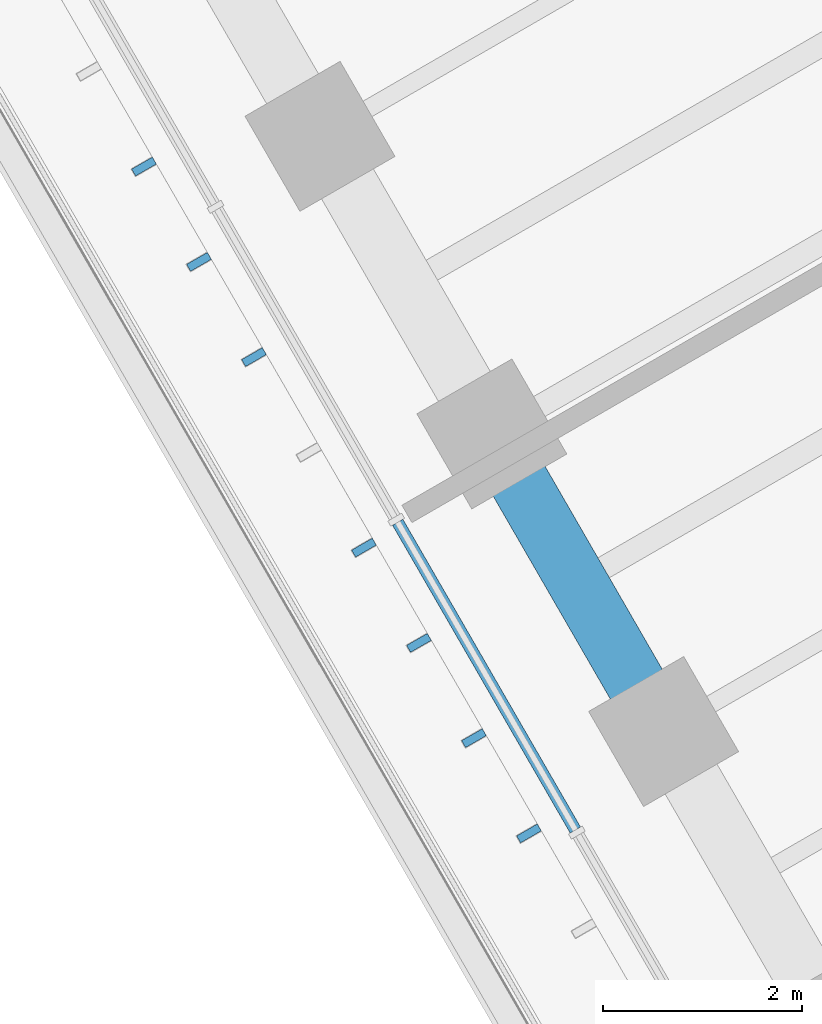
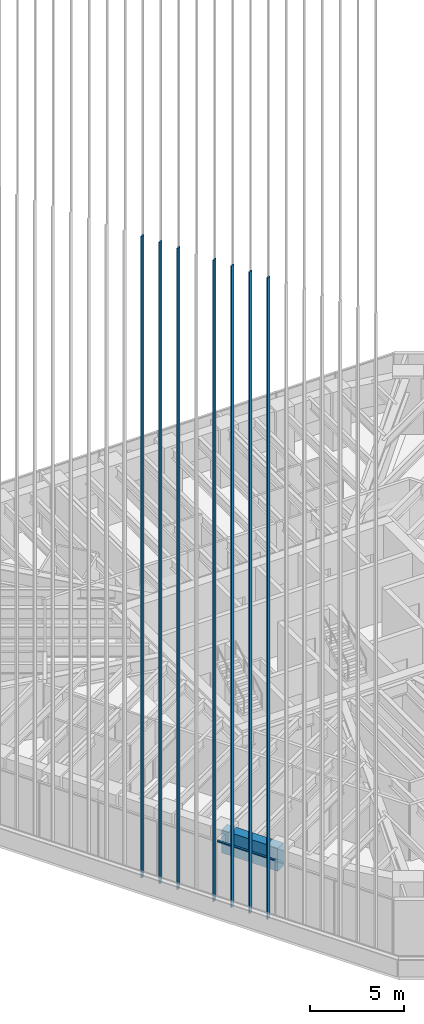
# One storey, part 4 of 127: 8 members, 1 beam, 1 element without a shape of its own.
"""IFC4 building model written with IfcOpenShell, lengths in metres."""

from ifc_helpers import new_model, si_unit, direction, frame, origin, origin_2d, place, context, subcontext, project, spatial, rectangle, extrude, material, material_profile, profile_set, type_object, element, aggregate, save


model = new_model("IFC4")

# Units and contexts
model_context = context("Model", 3, precision=1e-05, world=origin(), true_north=direction((0.0, 1.0)))
body_context = subcontext(model_context, "Body", "Model", "MODEL_VIEW")
ifc_project = project(units=[si_unit("LENGTHUNIT", "METRE"), si_unit("AREAUNIT", "SQUARE_METRE"), si_unit("VOLUMEUNIT", "CUBIC_METRE"), si_unit("PLANEANGLEUNIT", "RADIAN"), si_unit("MASSUNIT", "GRAM", prefix="KILO")], contexts=[model_context])

# Site, building, storey
site_placement = place(None, origin())
site = spatial("IfcSite", under=ifc_project, at=site_placement, CompositionType="ELEMENT")
building_placement = place(site_placement, origin())
building = spatial("IfcBuilding", under=site, at=building_placement, Name="Sandreach Pilgrim Tower", CompositionType="ELEMENT")
storey_placement = place(building_placement, frame((0.0, 0.0, 257.0)))
storey = spatial("IfcBuildingStorey", under=building, at=storey_placement, Name="L64", CompositionType="ELEMENT", Elevation=257.0)

# Curtain wall, member
ifc_material_1 = material(Name="Aluminium framed curtain wall", Category="aluminium")
curtain_wall_type = type_object("IfcCurtainWallType", Name="Suite tower curtain wall", PredefinedType="NOTDEFINED", material=ifc_material_1)
curtain_wall_placement = place(storey_placement, origin())
curtain_wall = element("IfcCurtainWall", 1, at=curtain_wall_placement, inside=storey, type_object=curtain_wall_type, Name="CW-4 L64 SW", PredefinedType="NOTDEFINED")
ifc_material_2 = material(Name="Aluminium extrusion", Category="aluminium")
ifc_material_profile_1 = material_profile(ifc_material_2, rectangle(XDim=0.1201171875, YDim=0.070068359375, at=origin_2d()), Name="CW-4T 120X70")
ifc_profile_set_1 = profile_set([ifc_material_profile_1], Name="Aluminium extrusion")
member_type_1 = type_object("IfcMemberType", Name="CW-4 transom", PredefinedType="USERDEFINED", material=ifc_profile_set_1)
member_1_placement = place(storey_placement, frame((-12.657958984375, -17.728759765625, 3.60498046875), z_axis=(-0.499957811549, 0.866049759928, 0.0), x_axis=(-0.866049759928, -0.499957811549, 0.0)))
member_1 = element("IfcMember", 2, at=member_1_placement, type_object=member_type_1, Name="CW-4 head transom 3", ObjectType="TRANSOM", PredefinedType="USERDEFINED", context=body_context, shape_type="SweptSolid", body=[
    extrude(rectangle(XDim=0.1201171875, YDim=0.070068359375, at=origin_2d()), origin(), (0.0, 0.0, 1.0), 3.561767578125),
])

# Beam
ifc_material_3 = material(Name="Concrete 10000 psi", Category="concrete")
ifc_material_profile_2 = material_profile(ifc_material_3, rectangle(XDim=0.60009765625, YDim=1.5, at=origin_2d()), Name="RC600X1500")
ifc_profile_set_2 = profile_set([ifc_material_profile_2], Name="Concrete 10000 psi")
beam_type = type_object("IfcBeamType", Name="Spandrel beam RC600X1500", PredefinedType="SPANDREL", material=ifc_profile_set_2)
beam_placement = place(storey_placement, frame((-11.772705078125, -16.741943359375, 2.889892578125), z_axis=(-0.499988291006, 0.866032163869, 0.0), x_axis=(-0.866032163869, -0.499988291006, 0.0)))
element("IfcBeam", 3, at=beam_placement, inside=storey, type_object=beam_type, Name="BM L64 SP28", PredefinedType="SPANDREL", context=body_context, shape_type="SweptSolid", body=[
    extrude(rectangle(XDim=0.60009765625, YDim=1.5, at=origin_2d()), origin(), (0.0, 0.0, 1.0), 3.44482421875),
])

# Member
ifc_material_4 = material(Name="Extruded terracotta on aluminium core", Category="masonry")
ifc_material_profile_3 = material_profile(ifc_material_4, rectangle(XDim=0.080078125, YDim=0.239990234375, at=origin_2d()), Name="TBW 80X240")
ifc_profile_set_3 = profile_set([ifc_material_profile_3], Name="Extruded terracotta on aluminium core")
member_type_2 = type_object("IfcMemberType", Name="Terracotta baguette west", PredefinedType="USERDEFINED", material=ifc_profile_set_3)
member_2_placement = place(storey_placement, frame((-13.123046875, -17.76318359375, 0.0), z_axis=(0.0, 0.0, 1.0), x_axis=(-0.5, 0.866025403784, 0.0)))
member_2 = element("IfcMember", 4, at=member_2_placement, type_object=member_type_2, Name="Baguette Z4 SW07", ObjectType="BAGUETTE", PredefinedType="USERDEFINED", context=body_context, shape_type="SweptSolid", body=[
    extrude(rectangle(XDim=0.080078125, YDim=0.239990234375, at=origin_2d()), origin(), (0.0, 0.0, 1.0), 41.639892578125),
])

member_3_placement = place(storey_placement, frame((-13.67431640625, -16.80810546875, 0.0), z_axis=(0.0, 0.0, 1.0), x_axis=(-0.5, 0.866025403784, 0.0)))
member_3 = element("IfcMember", 5, at=member_3_placement, type_object=member_type_2, Name="Baguette Z4 SW08", ObjectType="BAGUETTE", PredefinedType="USERDEFINED", context=body_context, shape_type="SweptSolid", body=[
    extrude(rectangle(XDim=0.080078125, YDim=0.239990234375, at=origin_2d()), origin(), (0.0, 0.0, 1.0), 41.639892578125),
])

member_4_placement = place(storey_placement, frame((-14.225830078125, -15.85302734375, 0.0), z_axis=(0.0, 0.0, 1.0), x_axis=(-0.5, 0.866025403784, 0.0)))
member_4 = element("IfcMember", 6, at=member_4_placement, type_object=member_type_2, Name="Baguette Z4 SW09", ObjectType="BAGUETTE", PredefinedType="USERDEFINED", context=body_context, shape_type="SweptSolid", body=[
    extrude(rectangle(XDim=0.080078125, YDim=0.239990234375, at=origin_2d()), origin(), (0.0, 0.0, 1.0), 41.639892578125),
])

member_5_placement = place(storey_placement, frame((-14.777099609375, -14.898193359375, 0.0), z_axis=(0.0, 0.0, 1.0), x_axis=(-0.5, 0.866025403784, 0.0)))
member_5 = element("IfcMember", 7, at=member_5_placement, type_object=member_type_2, Name="Baguette Z4 SW10", ObjectType="BAGUETTE", PredefinedType="USERDEFINED", context=body_context, shape_type="SweptSolid", body=[
    extrude(rectangle(XDim=0.080078125, YDim=0.239990234375, at=origin_2d()), origin(), (0.0, 0.0, 1.0), 41.639892578125),
])

member_6_placement = place(storey_placement, frame((-15.8798828125, -12.98828125, 0.0), z_axis=(0.0, 0.0, 1.0), x_axis=(-0.5, 0.866025403784, 0.0)))
member_6 = element("IfcMember", 8, at=member_6_placement, type_object=member_type_2, Name="Baguette Z4 SW12", ObjectType="BAGUETTE", PredefinedType="USERDEFINED", context=body_context, shape_type="SweptSolid", body=[
    extrude(rectangle(XDim=0.080078125, YDim=0.239990234375, at=origin_2d()), origin(), (0.0, 0.0, 1.0), 41.639892578125),
])

member_7_placement = place(storey_placement, frame((-16.43115234375, -12.033203125, 0.0), z_axis=(0.0, 0.0, 1.0), x_axis=(-0.5, 0.866025403784, 0.0)))
member_7 = element("IfcMember", 9, at=member_7_placement, type_object=member_type_2, Name="Baguette Z4 SW13", ObjectType="BAGUETTE", PredefinedType="USERDEFINED", context=body_context, shape_type="SweptSolid", body=[
    extrude(rectangle(XDim=0.080078125, YDim=0.239990234375, at=origin_2d()), origin(), (0.0, 0.0, 1.0), 41.639892578125),
])

member_8_placement = place(storey_placement, frame((-16.982666015625, -11.078125, 0.0), z_axis=(0.0, 0.0, 1.0), x_axis=(-0.5, 0.866025403784, 0.0)))
member_8 = element("IfcMember", 10, at=member_8_placement, type_object=member_type_2, Name="Baguette Z4 SW14", ObjectType="BAGUETTE", PredefinedType="USERDEFINED", context=body_context, shape_type="SweptSolid", body=[
    extrude(rectangle(XDim=0.080078125, YDim=0.239990234375, at=origin_2d()), origin(), (0.0, 0.0, 1.0), 41.639892578125),
])

aggregate(curtain_wall, [member_1, member_2, member_3, member_4, member_5, member_6, member_7, member_8])

save(model, "model.ifc")
